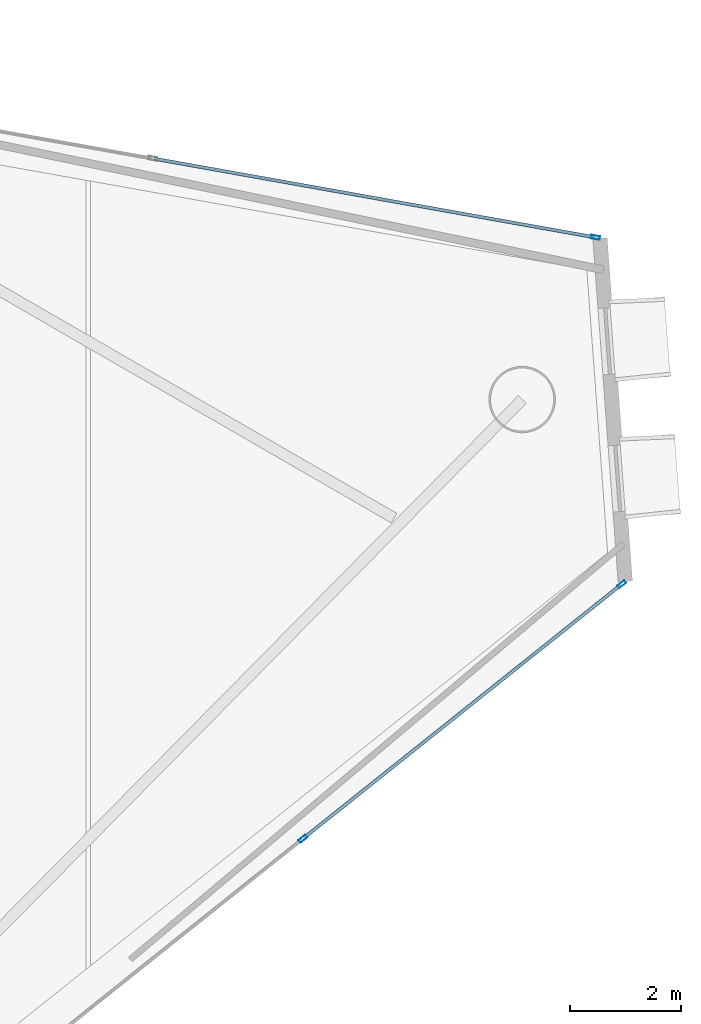
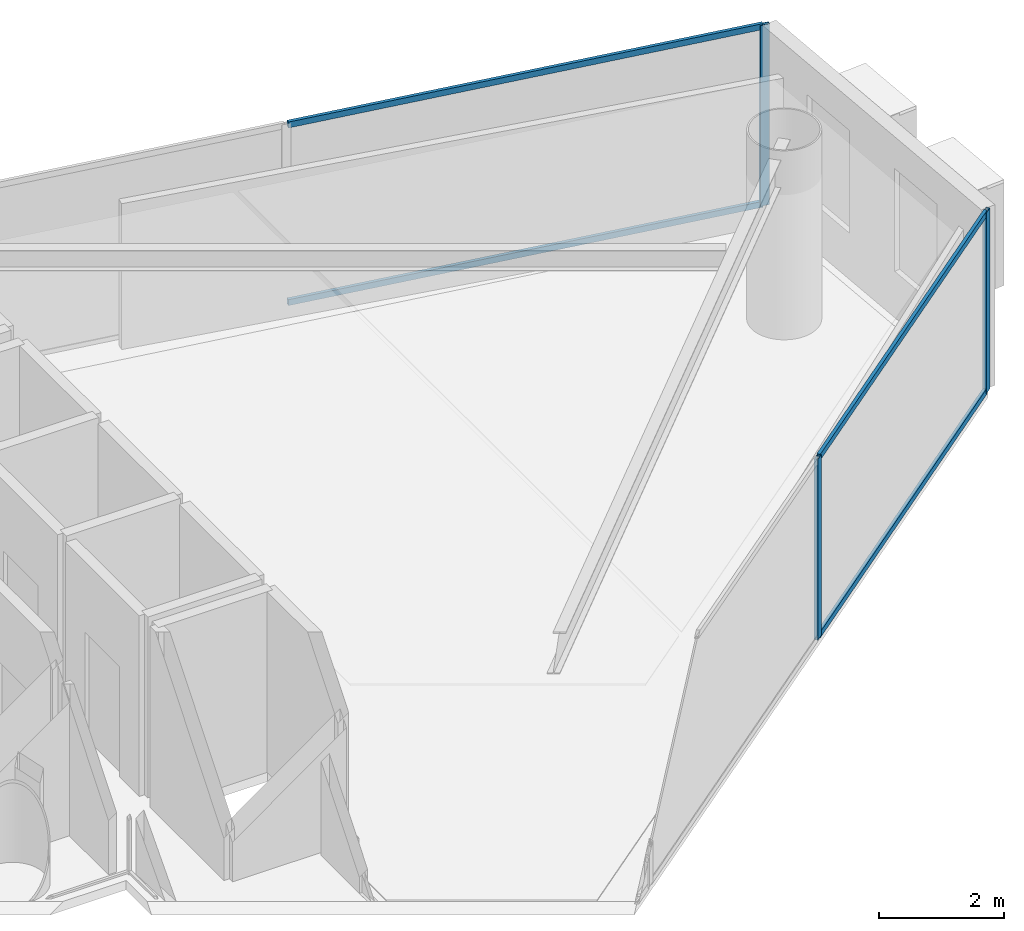
# One storey, part 14 of 22: 7 members, 2 elements without a shape of their own.
"""IFC4 building model written with IfcOpenShell, lengths in metres."""

from ifc_helpers import new_model, si_unit, direction, frame, origin, origin_2d, place, context, subcontext, project, spatial, hollow_rectangle, extrude, material, layer, layer_set, material_profile, profile_set, type_object, element, aggregate, save


model = new_model("IFC4")

# Units and contexts
model_context = context("Model", 3, precision=1e-05, world=origin(), true_north=direction((0.0, 1.0)))
body_context = subcontext(model_context, "Body", "Model", "MODEL_VIEW")
ifc_project = project(units=[si_unit("LENGTHUNIT", "METRE"), si_unit("AREAUNIT", "SQUARE_METRE"), si_unit("VOLUMEUNIT", "CUBIC_METRE"), si_unit("PLANEANGLEUNIT", "RADIAN"), si_unit("MASSUNIT", "GRAM", prefix="KILO")], contexts=[model_context])

# Site, building, storey
site_placement = place(None, origin())
site = spatial("IfcSite", under=ifc_project, at=site_placement, CompositionType="ELEMENT")
building_placement = place(site_placement, origin())
building = spatial("IfcBuilding", under=site, at=building_placement, Name="Qianvela Tower", CompositionType="ELEMENT")
storey_placement = place(building_placement, frame((0.0, 0.0, 207.699951171875)))
storey = spatial("IfcBuildingStorey", under=building, at=storey_placement, Name="L53", CompositionType="ELEMENT", Elevation=207.699951171875)

# Curtain wall, member
ifc_material_1 = material(Name="Anodised Architectural Aluminium and Low-E Glass", Category="aluminium")
ifc_layer = layer(ifc_material_1, 0.159912109375)
ifc_layer_set = layer_set([ifc_layer], Name="Anodised Architectural Aluminium and Low-E Glass")
curtain_wall_type = type_object("IfcCurtainWallType", Name="CW-COLIV-Z56", PredefinedType="USERDEFINED", material=ifc_layer_set)
curtain_wall_1_placement = place(storey_placement, origin())
curtain_wall_1 = element("IfcCurtainWall", 1, at=curtain_wall_1_placement, inside=storey, type_object=curtain_wall_type, Name="L53 CW-COLIV-Z56 Curtain Wall 02A", ObjectType="CURTAIN_WALL_SYSTEM", PredefinedType="USERDEFINED")
ifc_material_2 = material(Name="Anodised Architectural Aluminium 6063-T6", Category="aluminium")
ifc_material_profile_1 = material_profile(ifc_material_2, hollow_rectangle(XDim=0.06494140625, YDim=0.159912109375, WallThickness=0.0048828125, at=origin_2d()), Name="ALU-MULL-65x160")
ifc_profile_set_1 = profile_set([ifc_material_profile_1], Name="Anodised Architectural Aluminium 6063-T6")
member_type_1 = type_object("IfcMemberType", Name="CW-COLIV-Z56-MULL", PredefinedType="MULLION", material=ifc_profile_set_1)
member_1_placement = place(storey_placement, frame((58.220458984375, 34.1962890625, 0.0), z_axis=(0.0, 0.0, 1.0), x_axis=(-0.175588492248, -0.984463651635, 0.0)))
member_1 = element("IfcMember", 2, at=member_1_placement, type_object=member_type_1, Name="CW-5 mullion 1", PredefinedType="MULLION", context=body_context, shape_type="SweptSolid", body=[
    extrude(hollow_rectangle(XDim=0.06494140625, YDim=0.159912109375, WallThickness=0.0048828125, at=origin_2d()), origin(), (0.0, 0.0, 1.0), 3.52001953125),
])

# Curtain wall, members
curtain_wall_2_placement = place(storey_placement, origin())
curtain_wall_2 = element("IfcCurtainWall", 3, at=curtain_wall_2_placement, inside=storey, type_object=curtain_wall_type, Name="L53 CW-COLIV-Z56 Curtain Wall 06C", ObjectType="CURTAIN_WALL_SYSTEM", PredefinedType="USERDEFINED")
member_2_placement = place(storey_placement, frame((52.93994140625, 23.34375, 0.0), z_axis=(0.0, 0.0, 1.0), x_axis=(-0.623783388074, 0.781597265069, 0.0)))
member_2 = element("IfcMember", 4, at=member_2_placement, type_object=member_type_1, Name="CW-5 mullion 2", PredefinedType="MULLION", context=body_context, shape_type="SweptSolid", body=[
    extrude(hollow_rectangle(XDim=0.06494140625, YDim=0.159912109375, WallThickness=0.0048828125, at=origin_2d()), origin(), (0.0, 0.0, 1.0), 3.52001953125),
])
member_3_placement = place(storey_placement, frame((58.69384765625, 27.935791015625, 0.0), z_axis=(0.0, 0.0, 1.0), x_axis=(-0.623783388074, 0.781597265069, 0.0)))
member_3 = element("IfcMember", 5, at=member_3_placement, type_object=member_type_1, Name="CW-5 mullion 3", PredefinedType="MULLION", context=body_context, shape_type="SweptSolid", body=[
    extrude(hollow_rectangle(XDim=0.06494140625, YDim=0.159912109375, WallThickness=0.0048828125, at=origin_2d()), origin(), (0.0, 0.0, 1.0), 3.52001953125),
])

# Member
ifc_material_3 = material(Name="Anodised Architectural Aluminium 6063-T6", Category="aluminium")
ifc_material_profile_2 = material_profile(ifc_material_3, hollow_rectangle(XDim=0.06005859375, YDim=0.114990234375, WallThickness=0.00390625, at=origin_2d()), Name="ALU-TRAN-60x115")
ifc_profile_set_2 = profile_set([ifc_material_profile_2], Name="Anodised Architectural Aluminium 6063-T6")
member_type_2 = type_object("IfcMemberType", Name="CW-COLIV-Z56-TRAN", PredefinedType="USERDEFINED", material=ifc_profile_set_2)
member_4_placement = place(storey_placement, frame((58.1884765625, 34.2021484375, 0.030029296875), z_axis=(-0.984466339513, 0.17557342158, 0.0), x_axis=(-0.17557342158, -0.984466339513, 0.0)))
member_4 = element("IfcMember", 6, at=member_4_placement, type_object=member_type_2, Name="CW-5 transom 1.1", ObjectType="TRANSOM", PredefinedType="USERDEFINED", context=body_context, shape_type="SweptSolid", body=[
    extrude(hollow_rectangle(XDim=0.06005859375, YDim=0.114990234375, WallThickness=0.00390625, at=origin_2d()), origin(), (0.0, 0.0, 1.0), 8.052490234375),
])

member_5_placement = place(storey_placement, frame((58.1884765625, 34.2021484375, 3.489990234375), z_axis=(-0.984466339513, 0.17557342158, 0.0), x_axis=(-0.17557342158, -0.984466339513, 0.0)))
member_5 = element("IfcMember", 7, at=member_5_placement, type_object=member_type_2, Name="CW-5 transom 1.2", ObjectType="TRANSOM", PredefinedType="USERDEFINED", context=body_context, shape_type="SweptSolid", body=[
    extrude(hollow_rectangle(XDim=0.06005859375, YDim=0.114990234375, WallThickness=0.00390625, at=origin_2d()), origin(), (0.0, 0.0, 1.0), 8.052490234375),
])

aggregate(curtain_wall_1, [member_1, member_4, member_5])

member_6_placement = place(storey_placement, frame((52.96533203125, 23.364013671875, 0.030029296875), z_axis=(0.781602736059, 0.623776532891, 0.0), x_axis=(-0.623776532891, 0.781602736059, 0.0)))
member_6 = element("IfcMember", 8, at=member_6_placement, type_object=member_type_2, Name="CW-5 transom 2.1", ObjectType="TRANSOM", PredefinedType="USERDEFINED", context=body_context, shape_type="SweptSolid", body=[
    extrude(hollow_rectangle(XDim=0.06005859375, YDim=0.114990234375, WallThickness=0.00390625, at=origin_2d()), origin(), (0.0, 0.0, 1.0), 7.296630859375),
])

member_7_placement = place(storey_placement, frame((52.96533203125, 23.364013671875, 3.489990234375), z_axis=(0.781602736059, 0.623776532891, 0.0), x_axis=(-0.623776532891, 0.781602736059, 0.0)))
member_7 = element("IfcMember", 9, at=member_7_placement, type_object=member_type_2, Name="CW-5 transom 2.2", ObjectType="TRANSOM", PredefinedType="USERDEFINED", context=body_context, shape_type="SweptSolid", body=[
    extrude(hollow_rectangle(XDim=0.06005859375, YDim=0.114990234375, WallThickness=0.00390625, at=origin_2d()), origin(), (0.0, 0.0, 1.0), 7.296630859375),
])

aggregate(curtain_wall_2, [member_2, member_3, member_6, member_7])

save(model, "model.ifc")
